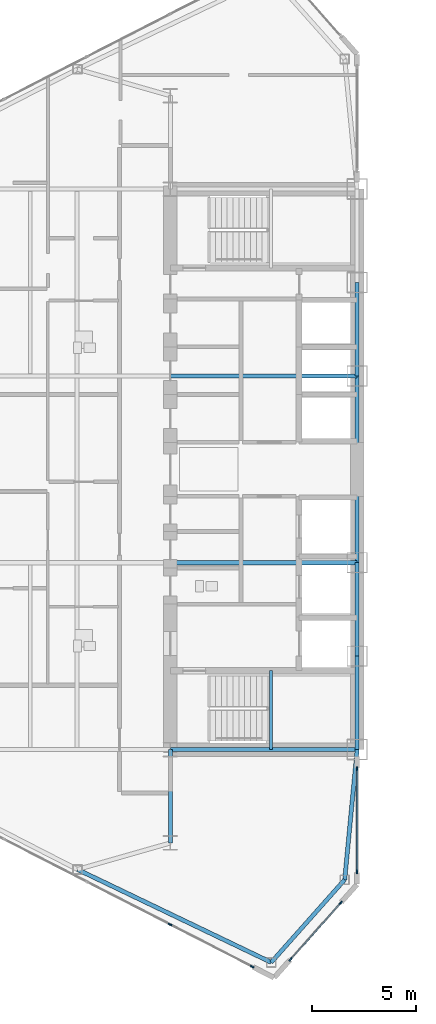
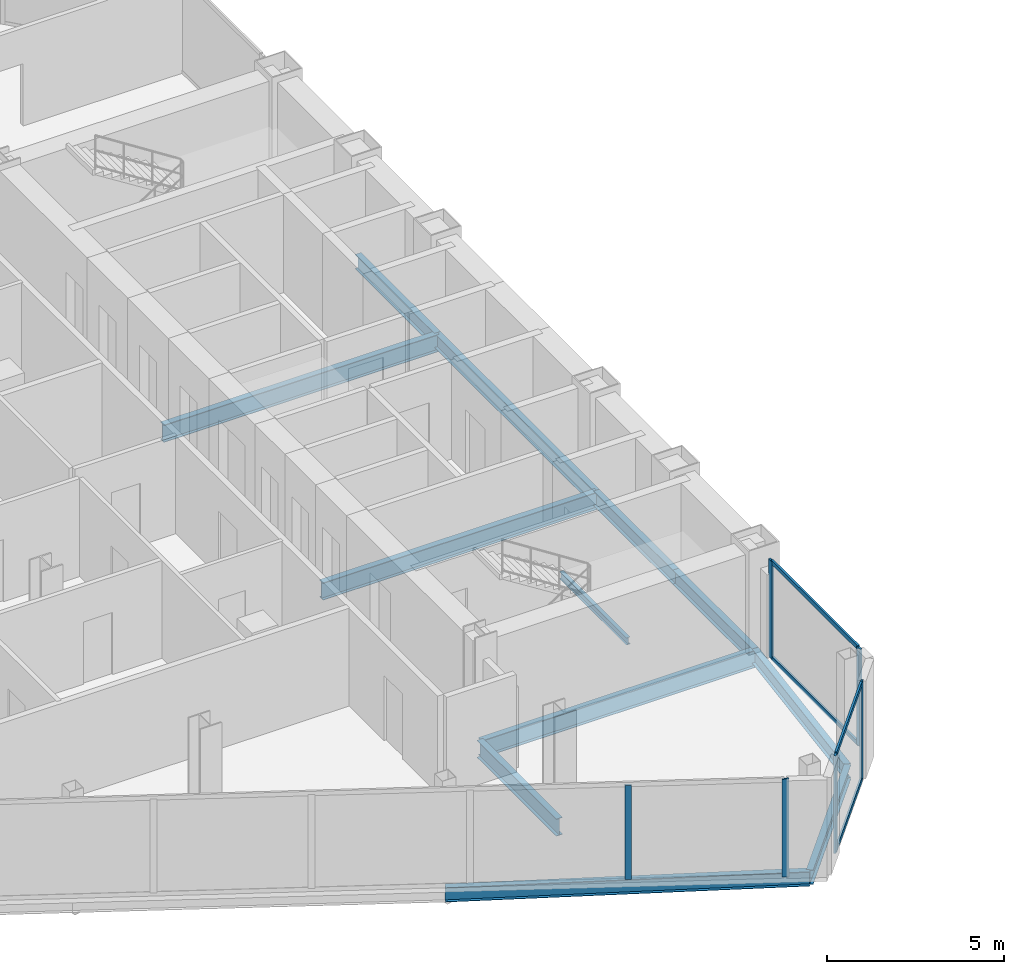
# One storey, part 5 of 24: 12 beams, 10 members, 3 elements without a shape of their own.
"""IFC4 building model written with IfcOpenShell, lengths in metres."""

import ifcopenshell
import ifcopenshell.guid

model = None  # the IFC model being written
_history = None  # IfcOwnerHistory: only IFC2X3 demands one
_inside = {}  # id of a spatial element -> (the spatial element, [elements in it])
_under = {}  # id of a project, library or spatial element -> (it, [spatial elements below it])
_declared = {}  # id of a project -> (the project, [libraries it declares])
_typed = {}  # id of a type object -> (the type object, [elements of that type])
_made_of = {}  # id of a material, layer set ... -> (it, [elements and type objects made of it])


def new_model(schema):
    """Start an empty IFC model of exactly this schema.

    Asked for "IFC4X3", IfcOpenShell would pick the latest addendum, in which some entities
    have other attributes; the version numbers below select the first issue.
    IFC2X3 requires an IfcOwnerHistory on every rooted entity: one is made here for all.
    """
    global model, _history
    if schema == "IFC4X3":
        model = ifcopenshell.file(schema_version=(4, 3, 0, 0))
    else:
        model = ifcopenshell.file(schema=schema)
    _inside.clear()
    _under.clear()
    _declared.clear()
    _typed.clear()
    _made_of.clear()
    _history = None
    if model.schema == "IFC2X3":
        org = make("IfcOrganization", Name="unknown")
        user = make(
            "IfcPersonAndOrganization",
            ThePerson=make("IfcPerson", FamilyName="unknown"),
            TheOrganization=org,
        )
        app = make(
            "IfcApplication",
            ApplicationDeveloper=org,
            Version="unknown",
            ApplicationFullName="unknown",
            ApplicationIdentifier="unknown",
        )
        _history = make(
            "IfcOwnerHistory",
            OwningUser=user,
            OwningApplication=app,
            ChangeAction="ADDED",
            CreationDate=0,
        )
    return model


def make(cls, **values):
    """One entity of the class cls with the attributes given. An attribute that is None is left unset."""
    return model.create_entity(
        cls, **{name: value for name, value in values.items() if value is not None}
    )


def rooted(cls, **values):
    """An entity with a GlobalId (a new one), such as an element, a storey or a relation."""
    return make(cls, GlobalId=ifcopenshell.guid.new(), OwnerHistory=_history, **values)


def si_unit(unit_type, name, prefix=None):
    """IfcSIUnit, for example si_unit("LENGTHUNIT", "METRE", prefix="MILLI")."""
    return make("IfcSIUnit", UnitType=unit_type, Prefix=prefix, Name=name)


def assignment(units):
    """IfcUnitAssignment: the units of a project."""
    return None if units is None else make("IfcUnitAssignment", Units=units)


def point(xyz):
    """IfcCartesianPoint."""
    return None if xyz is None else make("IfcCartesianPoint", Coordinates=xyz)


def direction(xyz):
    """IfcDirection."""
    return None if xyz is None else make("IfcDirection", DirectionRatios=xyz)


def frame(location, z_axis=None, x_axis=None):
    """IfcAxis2Placement3D, a coordinate frame: its origin and axes. An axis left out is left unset."""
    return make(
        "IfcAxis2Placement3D",
        Location=point(location),
        Axis=direction(z_axis),
        RefDirection=direction(x_axis),
    )


def frame_2d(location, x_axis=None):
    """IfcAxis2Placement2D, a coordinate frame in the plane: its origin and x axis."""
    return make(
        "IfcAxis2Placement2D", Location=point(location), RefDirection=direction(x_axis)
    )


def origin():
    """The frame at (0, 0, 0) with its axes left unset."""
    return frame((0.0, 0.0, 0.0))


def origin_2d():
    """The frame at (0, 0) in the plane with its x axis left unset."""
    return frame_2d((0.0, 0.0))


def place(relative_to, where):
    """IfcLocalPlacement: puts the frame where relative to a parent placement (None: the world)."""
    return make(
        "IfcLocalPlacement", PlacementRelTo=relative_to, RelativePlacement=where
    )


def context(
    kind, dimensions, precision=None, world=None, true_north=None, identifier=None
):
    """IfcGeometricRepresentationContext, for example the 3D "Model" context."""
    return make(
        "IfcGeometricRepresentationContext",
        ContextIdentifier=identifier,
        ContextType=kind,
        CoordinateSpaceDimension=dimensions,
        Precision=precision,
        WorldCoordinateSystem=world,
        TrueNorth=true_north,
    )


def subcontext(parent, identifier, kind, view, scale=None):
    """IfcGeometricRepresentationSubContext, for example "Body" below "Model"."""
    return make(
        "IfcGeometricRepresentationSubContext",
        ContextIdentifier=identifier,
        ContextType=kind,
        ParentContext=parent,
        TargetScale=scale,
        TargetView=view,
    )


def project(units=None, contexts=None):
    """IfcProject with its units and contexts."""
    return rooted(
        "IfcProject",
        Name="project",
        RepresentationContexts=contexts,
        UnitsInContext=assignment(units),
    )


def spatial(cls, under=None, at=None, **own):
    """A site, building, storey or space (cls), placed at a placement, below another one or the project."""
    s = rooted(cls, ObjectPlacement=at, **own)
    if under is not None:
        _under.setdefault(under.id(), (under, []))[1].append(s)
    return s


def profile(cls, at=None, kind="AREA", **sizes):
    """A parametric profile (cls). Its sizes go by their IFC names, for example OverallWidth=200.0."""
    return make(cls, ProfileType=kind, Position=at, **sizes)


def rectangle(**sizes):
    """IfcRectangleProfileDef."""
    return profile("IfcRectangleProfileDef", **sizes)


def i_section(**sizes):
    """IfcIShapeProfileDef."""
    return profile("IfcIShapeProfileDef", **sizes)


def extrude(swept, where, along, depth):
    """IfcExtrudedAreaSolid: the profile swept, set in the frame where, extruded along a direction by depth."""
    return make(
        "IfcExtrudedAreaSolid",
        SweptArea=swept,
        Position=where,
        ExtrudedDirection=direction(along),
        Depth=depth,
    )


def shape(context_of_items, identifier, shape_type, items):
    """IfcShapeRepresentation: the items that make up one representation, for example the "Body"."""
    return make(
        "IfcShapeRepresentation",
        ContextOfItems=context_of_items,
        RepresentationIdentifier=identifier,
        RepresentationType=shape_type,
        Items=items,
    )


def source(mapping_origin, context_of_items, identifier, shape_type, items):
    """IfcRepresentationMap: a shape defined once, which mapped items show again and again."""
    return make(
        "IfcRepresentationMap",
        MappingOrigin=mapping_origin,
        MappedRepresentation=shape(context_of_items, identifier, shape_type, items),
    )


def transform(
    local_origin,
    x_axis=None,
    y_axis=None,
    z_axis=None,
    scale=None,
    scale2=None,
    scale3=None,
    uniform=True,
):
    """IfcCartesianTransformationOperator3D, or its non-uniform kind. x_axis, y_axis, z_axis: its Axis1, 2, 3."""
    if uniform:
        return make(
            "IfcCartesianTransformationOperator3D",
            Axis1=direction(x_axis),
            Axis2=direction(y_axis),
            LocalOrigin=point(local_origin),
            Scale=scale,
            Axis3=direction(z_axis),
        )
    return make(
        "IfcCartesianTransformationOperator3DnonUniform",
        Axis1=direction(x_axis),
        Axis2=direction(y_axis),
        LocalOrigin=point(local_origin),
        Scale=scale,
        Axis3=direction(z_axis),
        Scale2=scale2,
        Scale3=scale3,
    )


def mapped(mapping_source, mapping_target):
    """IfcMappedItem: shows the shape of a source again, moved by a transform."""
    return make(
        "IfcMappedItem", MappingSource=mapping_source, MappingTarget=mapping_target
    )


def material(Name=None, Category=None):
    """IfcMaterial."""
    return make("IfcMaterial", Name=Name, Category=Category)


def layer(
    of_material, thickness, ventilated=None, Name=None, Category=None, Priority=None
):
    """IfcMaterialLayer: one layer of a wall or slab, of a material (None: an air gap)."""
    return make(
        "IfcMaterialLayer",
        Material=of_material,
        LayerThickness=thickness,
        IsVentilated=ventilated,
        Name=Name,
        Category=Category,
        Priority=Priority,
    )


def layer_set(layers, Name=None):
    """IfcMaterialLayerSet."""
    return make("IfcMaterialLayerSet", MaterialLayers=layers, LayerSetName=Name)


def material_profile(
    of_material, cross_section, Name=None, Category=None, Priority=None
):
    """IfcMaterialProfile: a cross section and its material."""
    return make(
        "IfcMaterialProfile",
        Name=Name,
        Material=of_material,
        Profile=cross_section,
        Priority=Priority,
        Category=Category,
    )


def profile_set(profiles, Name=None, composite=None):
    """IfcMaterialProfileSet."""
    return make(
        "IfcMaterialProfileSet",
        Name=Name,
        MaterialProfiles=profiles,
        CompositeProfile=composite,
    )


def made_of(thing, what):
    """Note that an element or type object is made of a material, layer set ...; save() writes the relation."""
    if what is not None:
        _made_of.setdefault(what.id(), (what, []))[1].append(thing)
    return thing


def type_object(cls, material=None, **own):
    """A type object (cls), such as IfcWallType, which elements share."""
    return made_of(rooted(cls, **own), material)


def type_shapes(of_type, sources):
    """Give a type object the sources (RepresentationMaps) that its elements show as mapped items."""
    of_type.RepresentationMaps = sources


def element(
    cls,
    number,
    at=None,
    inside=None,
    cuts=None,
    type_object=None,
    material=None,
    context=None,
    identifier="Body",
    shape_type=None,
    held_by="IfcProductDefinitionShape",
    body=None,
    shapes=None,
    **own,
):
    """One element of the class cls, such as IfcWall. Its Tag is "e" and its number.

    at: its placement. inside: the storey or other place that contains it. cuts: it is an
    opening in that element (IfcRelVoidsElement). A single representation is given by context,
    identifier, shape_type and body (its items); several are given by shapes. held_by: the class
    of the entity that holds the representations. save() writes the other relations.
    """
    e = rooted(cls, Tag="e%d" % number, ObjectPlacement=at, **own)
    if body is not None:
        shapes = [shape(context, identifier, shape_type, body)]
    if shapes is not None:
        e.Representation = make(held_by, Representations=shapes)
    if inside is not None:
        _inside.setdefault(inside.id(), (inside, []))[1].append(e)
    if cuts is not None:
        rooted(
            "IfcRelVoidsElement", RelatingBuildingElement=cuts, RelatedOpeningElement=e
        )
    if type_object is not None:
        _typed.setdefault(type_object.id(), (type_object, []))[1].append(e)
    return made_of(e, material)


def aggregate(whole, parts):
    """IfcRelAggregates: a whole, such as a stair, and the parts it consists of."""
    return rooted("IfcRelAggregates", RelatingObject=whole, RelatedObjects=parts)


def save(model, path):
    """Write the relations noted so far, then the file.

    IfcRelAggregates (storeys below a building ...), IfcRelContainedInSpatialStructure (elements
    in a storey), IfcRelDefinesByType, IfcRelAssociatesMaterial and IfcRelDeclares: one each for
    every whole, place, type object, material and project.
    """
    for whole, parts in _under.values():
        aggregate(whole, parts)
    for where, things in _inside.values():
        rooted(
            "IfcRelContainedInSpatialStructure",
            RelatedElements=things,
            RelatingStructure=where,
        )
    for kind, things in _typed.values():
        rooted("IfcRelDefinesByType", RelatedObjects=things, RelatingType=kind)
    for what, things in _made_of.values():
        rooted("IfcRelAssociatesMaterial", RelatedObjects=things, RelatingMaterial=what)
    for by, libraries in _declared.values():
        rooted("IfcRelDeclares", RelatingContext=by, RelatedDefinitions=libraries)
    model.write(path)


model = new_model("IFC4")

# Units and contexts
model_context = context("Model", 3, precision=1e-05, world=origin(), true_north=direction((0.0, 1.0)))
body_context = subcontext(model_context, "Body", "Model", "MODEL_VIEW")
ifc_project = project(units=[si_unit("LENGTHUNIT", "METRE"), si_unit("AREAUNIT", "SQUARE_METRE"), si_unit("VOLUMEUNIT", "CUBIC_METRE"), si_unit("PLANEANGLEUNIT", "RADIAN"), si_unit("MASSUNIT", "GRAM", prefix="KILO")], contexts=[model_context])

# Site, building, storey
site_placement = place(None, origin())
site = spatial("IfcSite", under=ifc_project, at=site_placement, CompositionType="ELEMENT")
building_placement = place(site_placement, origin())
building = spatial("IfcBuilding", under=site, at=building_placement, Name="Seokmaru Belvedere", CompositionType="ELEMENT")
storey_placement = place(building_placement, frame((0.0, 0.0, 121.199951171875)))
storey = spatial("IfcBuildingStorey", under=building, at=storey_placement, Name="L32", CompositionType="ELEMENT", Elevation=121.199951171875)

# Beams
ifc_material_1 = material(Name="Steel SM355 (355 MPa)", Category="steel")
ifc_material_profile_1 = material_profile(ifc_material_1, i_section(OverallWidth=0.199951171875, OverallDepth=0.5, WebThickness=0.010009765625, FlangeThickness=0.01611328125, at=origin_2d()), Name="H-500x200x10x16")
ifc_profile_set_1 = profile_set([ifc_material_profile_1], Name="Steel SM355 (355 MPa)")
beam_type_1 = type_object("IfcBeamType", Name="Perimeter Spandrel Beam H-500", PredefinedType="SPANDREL", material=ifc_profile_set_1)
shared_shape_1 = source(origin(), body_context, "Body", "SweptSolid", [
    extrude(i_section(OverallWidth=0.199951171875, OverallDepth=0.5, WebThickness=0.010009765625, FlangeThickness=0.01611328125, at=origin_2d()), origin(), (0.0, 0.0, 1.0), 4.5),
])
for number, where, z_axis, x_axis, name in (
    (1, (-27.5, -13.5, -0.469970703125), (0.0, 1.0, 0.0), (-1.0, 0.0, 0.0), "L32 W Portal Spine Spandrel 1"),
    (2, (-27.5, -9.0, -0.469970703125), (0.0, 1.0, 0.0), (-1.0, 0.0, 0.0), "L32 W Portal Spine Spandrel 2"),
    (3, (-27.5, 4.5, -0.469970703125), (0.0, 1.0, 0.0), (-1.0, 0.0, 0.0), "L32 W Portal Spine Spandrel 4"),
):
    element("IfcBeam", number, at=place(storey_placement, frame(where, z_axis=z_axis, x_axis=x_axis)), inside=storey, type_object=beam_type_1, Name=name, PredefinedType="SPANDREL", context=body_context, shape_type="MappedRepresentation", body=[
        mapped(shared_shape_1, transform((0.0, 0.0, 0.0), scale=1.0)),
    ])
shared_shape_2 = source(origin(), body_context, "Body", "SweptSolid", [
    extrude(i_section(OverallWidth=0.199951171875, OverallDepth=0.5, WebThickness=0.010009765625, FlangeThickness=0.01611328125, at=origin_2d()), origin(), (0.0, 0.0, 1.0), 9.0),
])
beam_1_placement = place(storey_placement, frame((-27.5, -4.5, -0.469970703125), z_axis=(0.0, 1.0, 0.0), x_axis=(-1.0, 0.0, 0.0)))
element("IfcBeam", 4, at=beam_1_placement, inside=storey, type_object=beam_type_1, Name="L32 W Portal Spine Spandrel 3", PredefinedType="SPANDREL", context=body_context, shape_type="MappedRepresentation", body=[
    mapped(shared_shape_2, transform((0.0, 0.0, 0.0), scale=1.0)),
])
ifc_material_profile_2 = material_profile(ifc_material_1, i_section(OverallWidth=0.199951171875, OverallDepth=0.60009765625, WebThickness=0.010986328125, FlangeThickness=0.01708984375, at=origin_2d()), Name="H-600x200x11x17")
ifc_profile_set_2 = profile_set([ifc_material_profile_2], Name="Steel SM355 (355 MPa)")
beam_type_2 = type_object("IfcBeamType", Name="Primary Floor Girder H-600", PredefinedType="BEAM", material=ifc_profile_set_2)
shared_shape_3 = source(origin(), body_context, "Body", "SweptSolid", [
    extrude(i_section(OverallWidth=0.199951171875, OverallDepth=0.60009765625, WebThickness=0.010986328125, FlangeThickness=0.01708984375, at=origin_2d()), origin(), (0.0, 0.0, 1.0), 9.0),
])
for number, where, z_axis, x_axis, name in (
    (5, (-36.5, -13.5, -0.52001953125), (1.0, 0.0, 0.0), (0.0, 1.0, 0.0), "L32 W Core Tie Girder 1"),
    (6, (-36.5, -4.5, -0.52001953125), (1.0, 0.0, 0.0), (0.0, 1.0, 0.0), "L32 W Core Tie Girder 2"),
    (7, (-36.5, 4.5, -0.52001953125), (1.0, 0.0, 0.0), (0.0, 1.0, 0.0), "L32 W Core Tie Girder 3"),
):
    element("IfcBeam", number, at=place(storey_placement, frame(where, z_axis=z_axis, x_axis=x_axis)), inside=storey, type_object=beam_type_2, Name=name, PredefinedType="BEAM", context=body_context, shape_type="MappedRepresentation", body=[
        mapped(shared_shape_3, transform((0.0, 0.0, 0.0), scale=1.0)),
    ])
shared_shape_4 = source(origin(), body_context, "Body", "SweptSolid", [
    extrude(i_section(OverallWidth=0.199951171875, OverallDepth=0.60009765625, WebThickness=0.010986328125, FlangeThickness=0.01708984375, at=origin_2d()), origin(), (0.0, 0.0, 1.0), 4.5),
])
type_shapes(beam_type_2, [shared_shape_3, shared_shape_4])
beam_2_placement = place(storey_placement, frame((-36.5, -18.0, -0.52001953125), z_axis=(0.0, 1.0, 0.0), x_axis=(-1.0, 0.0, 0.0)))
element("IfcBeam", 8, at=beam_2_placement, inside=storey, type_object=beam_type_2, Name="L32 W Core Shoulder Girder S", PredefinedType="BEAM", context=body_context, shape_type="MappedRepresentation", body=[
    mapped(shared_shape_4, transform((0.0, 0.0, 0.0), scale=1.0)),
])
shared_shape_5 = source(origin(), body_context, "Body", "SweptSolid", [
    extrude(i_section(OverallWidth=0.199951171875, OverallDepth=0.5, WebThickness=0.010009765625, FlangeThickness=0.01611328125, at=origin_2d()), origin(), (0.0, 0.0, 1.0), 10.353759765625),
])
beam_3_placement = place(storey_placement, frame((-31.6396484375, -23.75390625, -0.469970703125), z_axis=(-0.901713202822, 0.432334708134, 0.0), x_axis=(-0.432334708134, -0.901713202822, 0.0)))
element("IfcBeam", 9, at=beam_3_placement, inside=storey, type_object=beam_type_1, Name="L32 W Faceted Flank Spandrel S-1", PredefinedType="SPANDREL", context=body_context, shape_type="MappedRepresentation", body=[
    mapped(shared_shape_5, transform((0.0, 0.0, 0.0), scale=1.0)),
])
shared_shape_6 = source(origin(), body_context, "Body", "SweptSolid", [
    extrude(i_section(OverallWidth=0.199951171875, OverallDepth=0.5, WebThickness=0.010009765625, FlangeThickness=0.01611328125, at=origin_2d()), origin(), (0.0, 0.0, 1.0), 5.32763671875),
])
beam_4_placement = place(storey_placement, frame((-31.6396484375, -23.75390625, -0.469970703125), z_axis=(0.66436952742, 0.74740426212, 0.0), x_axis=(-0.74740426212, 0.66436952742, 0.0)))
element("IfcBeam", 10, at=beam_4_placement, inside=storey, type_object=beam_type_1, Name="L32 W Shoulder Chamfer Spandrel S", PredefinedType="SPANDREL", context=body_context, shape_type="MappedRepresentation", body=[
    mapped(shared_shape_6, transform((0.0, 0.0, 0.0), scale=1.0)),
])
shared_shape_7 = source(origin(), body_context, "Body", "SweptSolid", [
    extrude(i_section(OverallWidth=0.199951171875, OverallDepth=0.5, WebThickness=0.010009765625, FlangeThickness=0.01611328125, at=origin_2d()), origin(), (0.0, 0.0, 1.0), 6.300537109375),
])
type_shapes(beam_type_1, [shared_shape_1, shared_shape_2, shared_shape_5, shared_shape_6, shared_shape_7])
beam_5_placement = place(storey_placement, frame((-28.10009765625, -19.77197265625, -0.469970703125), z_axis=(0.095244287992, 0.995453929424, 0.0), x_axis=(-0.995453929424, 0.095244287992, 0.0)))
element("IfcBeam", 11, at=beam_5_placement, inside=storey, type_object=beam_type_1, Name="L32 W Shoulder Spine Spandrel S", PredefinedType="SPANDREL", context=body_context, shape_type="MappedRepresentation", body=[
    mapped(shared_shape_7, transform((0.0, 0.0, 0.0), scale=1.0)),
])

# Curtain wall, members
ifc_material_2 = material(Name="Bronze Triple Insulating Glass", Category="glass")
ifc_layer = layer(ifc_material_2, 0.195068359375)
ifc_layer_set = layer_set([ifc_layer], Name="Bronze Triple Insulating Glass")
curtain_wall_type = type_object("IfcCurtainWallType", Name="Sky-Lobby and Mid-Rise Curtain Wall System CW-4", PredefinedType="NOTDEFINED", material=ifc_layer_set)
curtain_wall_1_placement = place(storey_placement, origin())
curtain_wall_1 = element("IfcCurtainWall", 12, at=curtain_wall_1_placement, inside=storey, type_object=curtain_wall_type, Name="L32 Curtain Wall WSP_1", PredefinedType="NOTDEFINED")
ifc_material_3 = material(Name="Anodised Bronze Aluminium", Category="aluminium")
ifc_material_profile_3 = material_profile(ifc_material_3, rectangle(XDim=0.070068359375, YDim=0.195068359375, at=origin_2d()), Name="CW-M-70x195")
ifc_profile_set_3 = profile_set([ifc_material_profile_3], Name="Anodised Bronze Aluminium")
member_type_1 = type_object("IfcMemberType", Name="Bronze Unitised Mullion 70x195", PredefinedType="MULLION", material=ifc_profile_set_3)
shared_shape_8 = source(origin(), body_context, "Body", "SweptSolid", [
    extrude(rectangle(XDim=0.070068359375, YDim=0.195068359375, at=origin_2d()), origin(), (0.0, 0.0, 1.0), 3.380126953125),
])
member_1_placement = place(storey_placement, frame((-27.5, -19.39501953125, 0.0), z_axis=(0.0, 0.0, 1.0), x_axis=(-1.0, 0.0, 0.0)))
member_1 = element("IfcMember", 13, at=member_1_placement, type_object=member_type_1, Name="CW:L32:WSP_1 Mullion 1", PredefinedType="MULLION", context=body_context, shape_type="MappedRepresentation", body=[
    mapped(shared_shape_8, transform((0.0, 0.0, 0.0), scale=1.0)),
])
member_2_placement = place(storey_placement, frame((-27.5, -14.4150390625, 0.0), z_axis=(0.0, 0.0, 1.0), x_axis=(-1.0, 0.0, 0.0)))
member_2 = element("IfcMember", 14, at=member_2_placement, type_object=member_type_1, Name="CW:L32:WSP_1 Mullion 2", PredefinedType="MULLION", context=body_context, shape_type="MappedRepresentation", body=[
    mapped(shared_shape_8, transform((0.0, 0.0, 0.0), scale=1.0)),
])

# Curtain wall, member
curtain_wall_2_placement = place(storey_placement, origin())
curtain_wall_2 = element("IfcCurtainWall", 15, at=curtain_wall_2_placement, inside=storey, type_object=curtain_wall_type, Name="L32 Curtain Wall WF5", PredefinedType="NOTDEFINED")
member_3_placement = place(storey_placement, frame((-32.55419921875, -23.958984375, 0.0), z_axis=(0.0, 0.0, 1.0), x_axis=(0.456554528263, 0.889695432562, 0.0)))
member_3 = element("IfcMember", 16, at=member_3_placement, type_object=member_type_1, Name="CW:L32:WF5 Mullion 10", PredefinedType="MULLION", context=body_context, shape_type="MappedRepresentation", body=[
    mapped(shared_shape_8, transform((0.0, 0.0, 0.0), scale=1.0)),
])

# Curtain wall, members
curtain_wall_3_placement = place(storey_placement, origin())
curtain_wall_3 = element("IfcCurtainWall", 17, at=curtain_wall_3_placement, inside=storey, type_object=curtain_wall_type, Name="L32 Curtain Wall WF6", PredefinedType="NOTDEFINED")
member_4_placement = place(storey_placement, frame((-30.712646484375, -23.6142578125, 0.0), z_axis=(0.0, 0.0, 1.0), x_axis=(-0.747409774804, 0.664363325694, 0.0)))
member_4 = element("IfcMember", 18, at=member_4_placement, type_object=member_type_1, Name="CW:L32:WF6 Mullion 1", PredefinedType="MULLION", context=body_context, shape_type="MappedRepresentation", body=[
    mapped(shared_shape_8, transform((0.0, 0.0, 0.0), scale=1.0)),
])
member_5_placement = place(storey_placement, frame((-28.287353515625, -20.8857421875, 0.0), z_axis=(0.0, 0.0, 1.0), x_axis=(-0.747409774804, 0.664363325694, 0.0)))
member_5 = element("IfcMember", 19, at=member_5_placement, type_object=member_type_1, Name="CW:L32:WF6 Mullion 2", PredefinedType="MULLION", context=body_context, shape_type="MappedRepresentation", body=[
    mapped(shared_shape_8, transform((0.0, 0.0, 0.0), scale=1.0)),
])

# Member
ifc_material_profile_4 = material_profile(ifc_material_3, rectangle(XDim=0.06494140625, YDim=0.14990234375, at=origin_2d()), Name="CW-T-65x150")
ifc_profile_set_4 = profile_set([ifc_material_profile_4], Name="Anodised Bronze Aluminium")
member_type_2 = type_object("IfcMemberType", Name="Bronze Unitised Transom 65x150", PredefinedType="USERDEFINED", material=ifc_profile_set_4)
shared_shape_9 = source(origin(), body_context, "Body", "SweptSolid", [
    extrude(rectangle(XDim=0.06494140625, YDim=0.14990234375, at=origin_2d()), origin(), (0.0, 0.0, 1.0), 4.91015625),
])
member_6_placement = place(storey_placement, frame((-27.5, -19.360107421875, 0.032470703125), z_axis=(0.0, 1.0, 0.0), x_axis=(-1.0, 0.0, 0.0)))
member_6 = element("IfcMember", 20, at=member_6_placement, type_object=member_type_2, Name="CW:L32:WSP_1 Continuous Transom 1", ObjectType="TRANSOM", PredefinedType="USERDEFINED", context=body_context, shape_type="MappedRepresentation", body=[
    mapped(shared_shape_9, transform((0.0, 0.0, 0.0), scale=1.0)),
])

member_7_placement = place(storey_placement, frame((-27.5, -19.360107421875, 3.34765625), z_axis=(0.0, 1.0, 0.0), x_axis=(-1.0, 0.0, 0.0)))
member_7 = element("IfcMember", 21, at=member_7_placement, type_object=member_type_2, Name="CW:L32:WSP_1 Continuous Transom 2", ObjectType="TRANSOM", PredefinedType="USERDEFINED", context=body_context, shape_type="MappedRepresentation", body=[
    mapped(shared_shape_9, transform((0.0, 0.0, 0.0), scale=1.0)),
])

aggregate(curtain_wall_1, [member_1, member_2, member_6, member_7])

shared_shape_10 = source(origin(), body_context, "Body", "SweptSolid", [
    extrude(rectangle(XDim=0.06494140625, YDim=0.14990234375, at=origin_2d()), origin(), (0.0, 0.0, 1.0), 3.580810546875),
])
type_shapes(member_type_2, [shared_shape_9, shared_shape_10])
member_8_placement = place(storey_placement, frame((-30.689453125, -23.588134765625, 0.032470703125), z_axis=(0.66436383883, 0.747409318684, 0.0), x_axis=(-0.747409318684, 0.66436383883, 0.0)))
member_8 = element("IfcMember", 22, at=member_8_placement, type_object=member_type_2, Name="CW:L32:WF6 Continuous Transom 1", ObjectType="TRANSOM", PredefinedType="USERDEFINED", context=body_context, shape_type="MappedRepresentation", body=[
    mapped(shared_shape_10, transform((0.0, 0.0, 0.0), scale=1.0)),
])

member_9_placement = place(storey_placement, frame((-30.689453125, -23.588134765625, 3.34765625), z_axis=(0.66436383883, 0.747409318684, 0.0), x_axis=(-0.747409318684, 0.66436383883, 0.0)))
member_9 = element("IfcMember", 23, at=member_9_placement, type_object=member_type_2, Name="CW:L32:WF6 Continuous Transom 2", ObjectType="TRANSOM", PredefinedType="USERDEFINED", context=body_context, shape_type="MappedRepresentation", body=[
    mapped(shared_shape_10, transform((0.0, 0.0, 0.0), scale=1.0)),
])

aggregate(curtain_wall_3, [member_4, member_5, member_8, member_9])

shared_shape_11 = source(origin(), body_context, "Body", "SweptSolid", [
    extrude(rectangle(XDim=0.070068359375, YDim=0.195068359375, at=origin_2d()), origin(), (0.0, 0.0, 1.0), 3.25),
])
type_shapes(member_type_1, [shared_shape_8, shared_shape_11])
member_10_placement = place(storey_placement, frame((-36.51806640625, -21.925048828125, 0.06494140625), z_axis=(0.0, 0.0, 1.0), x_axis=(0.456554528263, 0.889695432562, 0.0)))
member_10 = element("IfcMember", 24, at=member_10_placement, type_object=member_type_1, Name="CW:L32:WF5 Mullion 9", PredefinedType="MULLION", context=body_context, shape_type="MappedRepresentation", body=[
    mapped(shared_shape_11, transform((0.0, 0.0, 0.0), scale=1.0)),
])

aggregate(curtain_wall_2, [member_10, member_3])

# Beam
ifc_material_profile_5 = material_profile(ifc_material_1, i_section(OverallWidth=0.125, OverallDepth=0.25, WebThickness=0.006103515625, FlangeThickness=0.009033203125, at=origin_2d()), Name="H-250x125x6x9")
ifc_profile_set_5 = profile_set([ifc_material_profile_5], Name="Steel SM355 (355 MPa)")
beam_type_3 = type_object("IfcBeamType", Name="Stair Mid-Landing Support Beam H-250", PredefinedType="JOIST", material=ifc_profile_set_5)
shared_shape_12 = source(origin(), body_context, "Body", "SweptSolid", [
    extrude(i_section(OverallWidth=0.125, OverallDepth=0.25, WebThickness=0.006103515625, FlangeThickness=0.009033203125, at=origin_2d()), origin(), (0.0, 0.0, 1.0), 3.800048828125),
])
type_shapes(beam_type_3, [shared_shape_12])
beam_6_placement = place(storey_placement, frame((-31.64990234375, -13.5, 1.47509765625), z_axis=(0.0, 1.0, 0.0), x_axis=(-1.0, 0.0, 0.0)))
element("IfcBeam", 25, at=beam_6_placement, inside=storey, type_object=beam_type_3, Name="L32 Stair ST-W1 Mid-Landing Support Beam 1", PredefinedType="JOIST", context=body_context, shape_type="MappedRepresentation", body=[
    mapped(shared_shape_12, transform((0.0, 0.0, 0.0), scale=1.0)),
])

save(model, "model.ifc")
